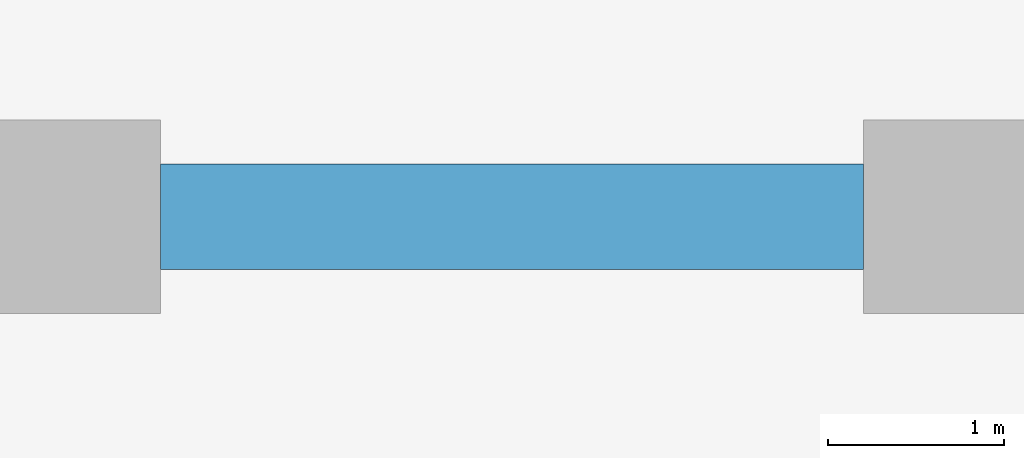
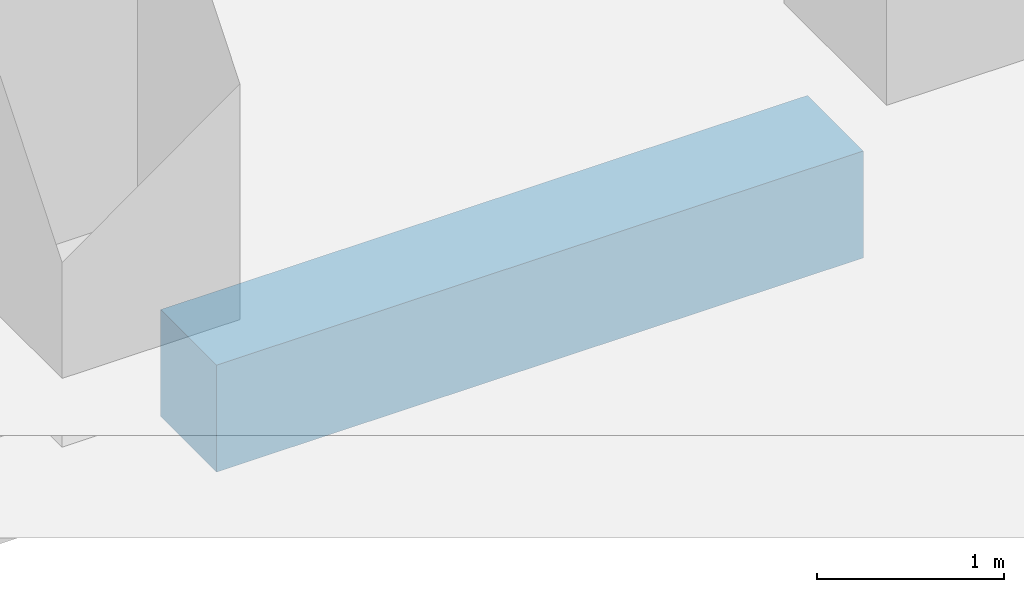
# One storey, part 4 of 57: 1 beam.
"""IFC4 building model written with IfcOpenShell, lengths in metres."""

import ifcopenshell
import ifcopenshell.guid

model = None  # the IFC model being written
_history = None  # IfcOwnerHistory: only IFC2X3 demands one
_inside = {}  # id of a spatial element -> (the spatial element, [elements in it])
_under = {}  # id of a project, library or spatial element -> (it, [spatial elements below it])
_declared = {}  # id of a project -> (the project, [libraries it declares])
_typed = {}  # id of a type object -> (the type object, [elements of that type])
_made_of = {}  # id of a material, layer set ... -> (it, [elements and type objects made of it])


def new_model(schema):
    """Start an empty IFC model of exactly this schema.

    Asked for "IFC4X3", IfcOpenShell would pick the latest addendum, in which some entities
    have other attributes; the version numbers below select the first issue.
    IFC2X3 requires an IfcOwnerHistory on every rooted entity: one is made here for all.
    """
    global model, _history
    if schema == "IFC4X3":
        model = ifcopenshell.file(schema_version=(4, 3, 0, 0))
    else:
        model = ifcopenshell.file(schema=schema)
    _inside.clear()
    _under.clear()
    _declared.clear()
    _typed.clear()
    _made_of.clear()
    _history = None
    if model.schema == "IFC2X3":
        org = make("IfcOrganization", Name="unknown")
        user = make(
            "IfcPersonAndOrganization",
            ThePerson=make("IfcPerson", FamilyName="unknown"),
            TheOrganization=org,
        )
        app = make(
            "IfcApplication",
            ApplicationDeveloper=org,
            Version="unknown",
            ApplicationFullName="unknown",
            ApplicationIdentifier="unknown",
        )
        _history = make(
            "IfcOwnerHistory",
            OwningUser=user,
            OwningApplication=app,
            ChangeAction="ADDED",
            CreationDate=0,
        )
    return model


def make(cls, **values):
    """One entity of the class cls with the attributes given. An attribute that is None is left unset."""
    return model.create_entity(
        cls, **{name: value for name, value in values.items() if value is not None}
    )


def rooted(cls, **values):
    """An entity with a GlobalId (a new one), such as an element, a storey or a relation."""
    return make(cls, GlobalId=ifcopenshell.guid.new(), OwnerHistory=_history, **values)


def si_unit(unit_type, name, prefix=None):
    """IfcSIUnit, for example si_unit("LENGTHUNIT", "METRE", prefix="MILLI")."""
    return make("IfcSIUnit", UnitType=unit_type, Prefix=prefix, Name=name)


def assignment(units):
    """IfcUnitAssignment: the units of a project."""
    return None if units is None else make("IfcUnitAssignment", Units=units)


def point(xyz):
    """IfcCartesianPoint."""
    return None if xyz is None else make("IfcCartesianPoint", Coordinates=xyz)


def direction(xyz):
    """IfcDirection."""
    return None if xyz is None else make("IfcDirection", DirectionRatios=xyz)


def frame(location, z_axis=None, x_axis=None):
    """IfcAxis2Placement3D, a coordinate frame: its origin and axes. An axis left out is left unset."""
    return make(
        "IfcAxis2Placement3D",
        Location=point(location),
        Axis=direction(z_axis),
        RefDirection=direction(x_axis),
    )


def frame_2d(location, x_axis=None):
    """IfcAxis2Placement2D, a coordinate frame in the plane: its origin and x axis."""
    return make(
        "IfcAxis2Placement2D", Location=point(location), RefDirection=direction(x_axis)
    )


def origin():
    """The frame at (0, 0, 0) with its axes left unset."""
    return frame((0.0, 0.0, 0.0))


def origin_2d():
    """The frame at (0, 0) in the plane with its x axis left unset."""
    return frame_2d((0.0, 0.0))


def place(relative_to, where):
    """IfcLocalPlacement: puts the frame where relative to a parent placement (None: the world)."""
    return make(
        "IfcLocalPlacement", PlacementRelTo=relative_to, RelativePlacement=where
    )


def context(
    kind, dimensions, precision=None, world=None, true_north=None, identifier=None
):
    """IfcGeometricRepresentationContext, for example the 3D "Model" context."""
    return make(
        "IfcGeometricRepresentationContext",
        ContextIdentifier=identifier,
        ContextType=kind,
        CoordinateSpaceDimension=dimensions,
        Precision=precision,
        WorldCoordinateSystem=world,
        TrueNorth=true_north,
    )


def subcontext(parent, identifier, kind, view, scale=None):
    """IfcGeometricRepresentationSubContext, for example "Body" below "Model"."""
    return make(
        "IfcGeometricRepresentationSubContext",
        ContextIdentifier=identifier,
        ContextType=kind,
        ParentContext=parent,
        TargetScale=scale,
        TargetView=view,
    )


def project(units=None, contexts=None):
    """IfcProject with its units and contexts."""
    return rooted(
        "IfcProject",
        Name="project",
        RepresentationContexts=contexts,
        UnitsInContext=assignment(units),
    )


def spatial(cls, under=None, at=None, **own):
    """A site, building, storey or space (cls), placed at a placement, below another one or the project."""
    s = rooted(cls, ObjectPlacement=at, **own)
    if under is not None:
        _under.setdefault(under.id(), (under, []))[1].append(s)
    return s


def profile(cls, at=None, kind="AREA", **sizes):
    """A parametric profile (cls). Its sizes go by their IFC names, for example OverallWidth=200.0."""
    return make(cls, ProfileType=kind, Position=at, **sizes)


def rectangle(**sizes):
    """IfcRectangleProfileDef."""
    return profile("IfcRectangleProfileDef", **sizes)


def extrude(swept, where, along, depth):
    """IfcExtrudedAreaSolid: the profile swept, set in the frame where, extruded along a direction by depth."""
    return make(
        "IfcExtrudedAreaSolid",
        SweptArea=swept,
        Position=where,
        ExtrudedDirection=direction(along),
        Depth=depth,
    )


def shape(context_of_items, identifier, shape_type, items):
    """IfcShapeRepresentation: the items that make up one representation, for example the "Body"."""
    return make(
        "IfcShapeRepresentation",
        ContextOfItems=context_of_items,
        RepresentationIdentifier=identifier,
        RepresentationType=shape_type,
        Items=items,
    )


def material(Name=None, Category=None):
    """IfcMaterial."""
    return make("IfcMaterial", Name=Name, Category=Category)


def material_profile(
    of_material, cross_section, Name=None, Category=None, Priority=None
):
    """IfcMaterialProfile: a cross section and its material."""
    return make(
        "IfcMaterialProfile",
        Name=Name,
        Material=of_material,
        Profile=cross_section,
        Priority=Priority,
        Category=Category,
    )


def profile_set(profiles, Name=None, composite=None):
    """IfcMaterialProfileSet."""
    return make(
        "IfcMaterialProfileSet",
        Name=Name,
        MaterialProfiles=profiles,
        CompositeProfile=composite,
    )


def made_of(thing, what):
    """Note that an element or type object is made of a material, layer set ...; save() writes the relation."""
    if what is not None:
        _made_of.setdefault(what.id(), (what, []))[1].append(thing)
    return thing


def type_object(cls, material=None, **own):
    """A type object (cls), such as IfcWallType, which elements share."""
    return made_of(rooted(cls, **own), material)


def element(
    cls,
    number,
    at=None,
    inside=None,
    cuts=None,
    type_object=None,
    material=None,
    context=None,
    identifier="Body",
    shape_type=None,
    held_by="IfcProductDefinitionShape",
    body=None,
    shapes=None,
    **own,
):
    """One element of the class cls, such as IfcWall. Its Tag is "e" and its number.

    at: its placement. inside: the storey or other place that contains it. cuts: it is an
    opening in that element (IfcRelVoidsElement). A single representation is given by context,
    identifier, shape_type and body (its items); several are given by shapes. held_by: the class
    of the entity that holds the representations. save() writes the other relations.
    """
    e = rooted(cls, Tag="e%d" % number, ObjectPlacement=at, **own)
    if body is not None:
        shapes = [shape(context, identifier, shape_type, body)]
    if shapes is not None:
        e.Representation = make(held_by, Representations=shapes)
    if inside is not None:
        _inside.setdefault(inside.id(), (inside, []))[1].append(e)
    if cuts is not None:
        rooted(
            "IfcRelVoidsElement", RelatingBuildingElement=cuts, RelatedOpeningElement=e
        )
    if type_object is not None:
        _typed.setdefault(type_object.id(), (type_object, []))[1].append(e)
    return made_of(e, material)


def aggregate(whole, parts):
    """IfcRelAggregates: a whole, such as a stair, and the parts it consists of."""
    return rooted("IfcRelAggregates", RelatingObject=whole, RelatedObjects=parts)


def save(model, path):
    """Write the relations noted so far, then the file.

    IfcRelAggregates (storeys below a building ...), IfcRelContainedInSpatialStructure (elements
    in a storey), IfcRelDefinesByType, IfcRelAssociatesMaterial and IfcRelDeclares: one each for
    every whole, place, type object, material and project.
    """
    for whole, parts in _under.values():
        aggregate(whole, parts)
    for where, things in _inside.values():
        rooted(
            "IfcRelContainedInSpatialStructure",
            RelatedElements=things,
            RelatingStructure=where,
        )
    for kind, things in _typed.values():
        rooted("IfcRelDefinesByType", RelatedObjects=things, RelatingType=kind)
    for what, things in _made_of.values():
        rooted("IfcRelAssociatesMaterial", RelatedObjects=things, RelatingMaterial=what)
    for by, libraries in _declared.values():
        rooted("IfcRelDeclares", RelatingContext=by, RelatedDefinitions=libraries)
    model.write(path)


model = new_model("IFC4")

# Units and contexts
model_context = context("Model", 3, precision=1e-05, world=origin(), true_north=direction((0.0, 1.0)))
body_context = subcontext(model_context, "Body", "Model", "MODEL_VIEW")
ifc_project = project(units=[si_unit("LENGTHUNIT", "METRE"), si_unit("AREAUNIT", "SQUARE_METRE"), si_unit("VOLUMEUNIT", "CUBIC_METRE"), si_unit("PLANEANGLEUNIT", "RADIAN"), si_unit("MASSUNIT", "GRAM", prefix="KILO")], contexts=[model_context])

# Site, building, storey
site_placement = place(None, origin())
site = spatial("IfcSite", under=ifc_project, at=site_placement, CompositionType="ELEMENT")
building_placement = place(site_placement, origin())
building = spatial("IfcBuilding", under=site, at=building_placement, Name="Beryl Residences", CompositionType="ELEMENT")
storey_placement = place(building_placement, origin())
storey = spatial("IfcBuildingStorey", under=building, at=storey_placement, Name="L00", CompositionType="ELEMENT", Elevation=0.0)

# Beam
ifc_material = material(Name="Concrete C80/95", Category="concrete")
ifc_material_profile = material_profile(ifc_material, rectangle(XDim=0.60009765625, YDim=0.699951171875, at=origin_2d()))
ifc_profile_set = profile_set([ifc_material_profile], Name="Concrete C80/95")
beam_type = type_object("IfcBeamType", Name="SB1 spandrel beam 600 x 700 C80/95", PredefinedType="SPANDREL", material=ifc_profile_set)
beam_placement = place(storey_placement, frame((8.20703125, -27.10009765625, -0.800048828125), z_axis=(1.0, 0.0, 0.0), x_axis=(0.0, 1.0, 0.0)))
element("IfcBeam", 1, at=beam_placement, inside=storey, type_object=beam_type, Name="SB1 L00 S-4", PredefinedType="SPANDREL", context=body_context, shape_type="SweptSolid", body=[
    extrude(rectangle(XDim=0.60009765625, YDim=0.699951171875, at=origin_2d()), origin(), (0.0, 0.0, 1.0), 4.00390625),
])

save(model, "model.ifc")
